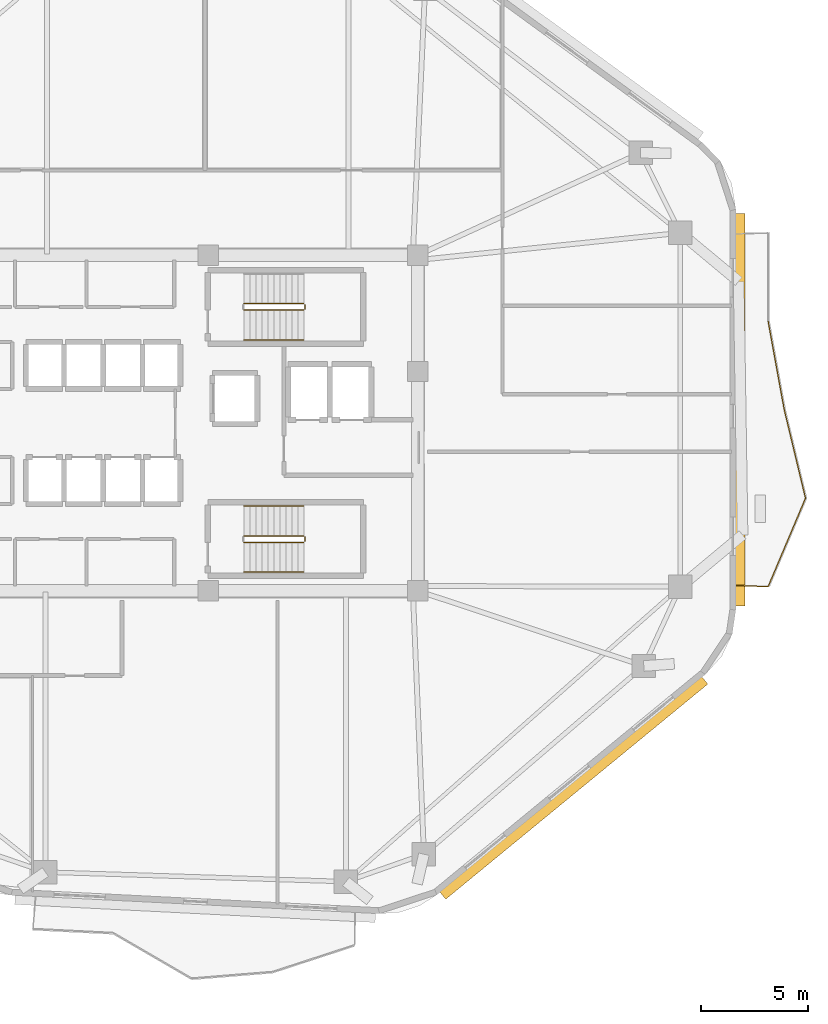
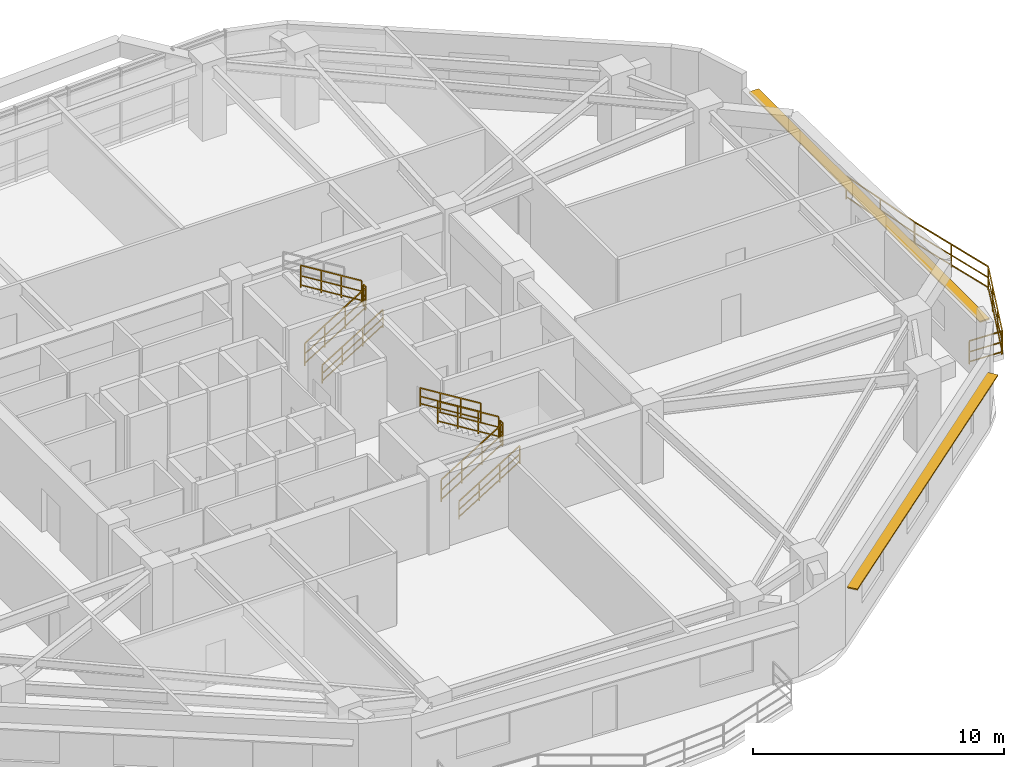
# One storey, part 13 of 14: 13 railings, 2 shading devices.
"""IFC4 building model written with IfcOpenShell, lengths in metres."""

from ifc_helpers import new_model, si_unit, direction, frame, origin, origin_2d, place, context, subcontext, project, spatial, rectangle, extrude, material, layer, layer_set, type_object, element, save


model = new_model("IFC4")

# Units and contexts
model_context = context("Model", 3, precision=1e-05, world=origin(), true_north=direction((0.0, 1.0)))
body_context = subcontext(model_context, "Body", "Model", "MODEL_VIEW")
ifc_project = project(units=[si_unit("LENGTHUNIT", "METRE"), si_unit("AREAUNIT", "SQUARE_METRE"), si_unit("VOLUMEUNIT", "CUBIC_METRE"), si_unit("PLANEANGLEUNIT", "RADIAN"), si_unit("MASSUNIT", "GRAM", prefix="KILO")], contexts=[model_context])

# Site, building, storey
site_placement = place(None, origin())
site = spatial("IfcSite", under=ifc_project, at=site_placement, CompositionType="ELEMENT")
building_placement = place(site_placement, origin())
building = spatial("IfcBuilding", under=site, at=building_placement, Name="Zulverin Broadcast Headquarters", CompositionType="ELEMENT")
storey_placement = place(building_placement, frame((0.0, 0.0, 147.800048828125)))
storey = spatial("IfcBuildingStorey", under=building, at=storey_placement, Name="L37", CompositionType="ELEMENT", Elevation=147.800048828125)

# Railings
ifc_material_1 = material(Name="Brushed stainless steel & laminated glass balustrade", Category="steel")
railing_type_1 = type_object("IfcRailingType", Name="RL-GUARD-1150", PredefinedType="GUARDRAIL", material=ifc_material_1)
railing_1_placement = place(storey_placement, frame((63.239990234375, 17.578369140625, 0.0)))
element("IfcRailing", 1, at=railing_1_placement, inside=storey, type_object=railing_type_1, Name="L37 Vertical-Forest Balcony Guardrail BAL_E Segment 01", PredefinedType="GUARDRAIL", context=body_context, shape_type="SweptSolid", body=[
    extrude(rectangle(XDim=0.048095703125, YDim=0.048095703125, at=origin_2d()), frame((0.0, 0.0, 1.1259765625), z_axis=(0.999174410196, -0.040626321628, 0.0), x_axis=(0.040626321628, 0.999174410196, 0.0)), (0.0, 0.0, 1.0), 1.46630859375),
    extrude(rectangle(XDim=0.0419921875, YDim=0.0419921875, at=origin_2d()), frame((0.0, 0.0, 0.597900390625), z_axis=(0.999174410196, -0.040626321628, 0.0), x_axis=(0.040626321628, 0.999174410196, 0.0)), (0.0, 0.0, 1.0), 1.46630859375),
    extrude(rectangle(XDim=0.0419921875, YDim=0.0419921875, at=origin_2d()), frame((0.0, 0.0, 0.1201171875), z_axis=(0.999174410196, -0.040626321628, 0.0), x_axis=(0.040626321628, 0.999174410196, 0.0)), (0.0, 0.0, 1.0), 1.46630859375),
    extrude(rectangle(XDim=0.0419921875, YDim=0.0419921875, at=origin_2d()), origin(), (0.0, 0.0, 1.0), 1.101806640625),
    extrude(rectangle(XDim=0.0419921875, YDim=0.0419921875, at=origin_2d()), frame((1.465087890625, -0.0595703125, 0.0)), (0.0, 0.0, 1.0), 1.101806640625),
])
railing_2_placement = place(storey_placement, frame((64.725830078125, 17.531982421875, 0.0)))
element("IfcRailing", 2, at=railing_2_placement, inside=storey, type_object=railing_type_1, Name="L37 Vertical-Forest Balcony Guardrail BAL_E Segment 02", PredefinedType="GUARDRAIL", context=body_context, shape_type="SweptSolid", body=[
    extrude(rectangle(XDim=0.048095703125, YDim=0.048095703125, at=origin_2d()), frame((0.0, 0.0, 1.1259765625), z_axis=(0.389077935505, 0.921204841554, 0.0), x_axis=(-0.921204841554, 0.389077935505, 0.0)), (0.0, 0.0, 1.0), 4.478271484375),
    extrude(rectangle(XDim=0.0419921875, YDim=0.0419921875, at=origin_2d()), frame((0.0, 0.0, 0.597900390625), z_axis=(0.389077935505, 0.921204841554, 0.0), x_axis=(-0.921204841554, 0.389077935505, 0.0)), (0.0, 0.0, 1.0), 4.478271484375),
    extrude(rectangle(XDim=0.0419921875, YDim=0.0419921875, at=origin_2d()), frame((0.0, 0.0, 0.1201171875), z_axis=(0.389077935505, 0.921204841554, 0.0), x_axis=(-0.921204841554, 0.389077935505, 0.0)), (0.0, 0.0, 1.0), 4.478271484375),
    extrude(rectangle(XDim=0.0419921875, YDim=0.0419921875, at=origin_2d()), origin(), (0.0, 0.0, 1.0), 1.101806640625),
    extrude(rectangle(XDim=0.0419921875, YDim=0.0419921875, at=origin_2d()), frame((0.580810546875, 1.375244140625, 0.0)), (0.0, 0.0, 1.0), 1.101806640625),
    extrude(rectangle(XDim=0.0419921875, YDim=0.0419921875, at=origin_2d()), frame((1.16162109375, 2.750244140625, 0.0)), (0.0, 0.0, 1.0), 1.101806640625),
    extrude(rectangle(XDim=0.0419921875, YDim=0.0419921875, at=origin_2d()), frame((1.742431640625, 4.12548828125, 0.0)), (0.0, 0.0, 1.0), 1.101806640625),
])
railing_3_placement = place(storey_placement, frame((66.470458984375, 21.685791015625, 0.0)))
element("IfcRailing", 3, at=railing_3_placement, inside=storey, type_object=railing_type_1, Name="L37 Vertical-Forest Balcony Guardrail BAL_E Segment 03", PredefinedType="GUARDRAIL", context=body_context, shape_type="SweptSolid", body=[
    extrude(rectangle(XDim=0.048095703125, YDim=0.048095703125, at=origin_2d()), frame((0.0, 0.0, 1.1259765625), z_axis=(-0.233599374874, 0.972332932723, 0.0), x_axis=(-0.972332932723, -0.233599374874, 0.0)), (0.0, 0.0, 1.0), 4.2412109375),
    extrude(rectangle(XDim=0.0419921875, YDim=0.0419921875, at=origin_2d()), frame((0.0, 0.0, 0.597900390625), z_axis=(-0.233599374874, 0.972332932723, 0.0), x_axis=(-0.972332932723, -0.233599374874, 0.0)), (0.0, 0.0, 1.0), 4.2412109375),
    extrude(rectangle(XDim=0.0419921875, YDim=0.0419921875, at=origin_2d()), frame((0.0, 0.0, 0.1201171875), z_axis=(-0.233599374874, 0.972332932723, 0.0), x_axis=(-0.972332932723, -0.233599374874, 0.0)), (0.0, 0.0, 1.0), 4.2412109375),
    extrude(rectangle(XDim=0.0419921875, YDim=0.0419921875, at=origin_2d()), origin(), (0.0, 0.0, 1.0), 1.101806640625),
    extrude(rectangle(XDim=0.0419921875, YDim=0.0419921875, at=origin_2d()), frame((-0.495361328125, 2.06201171875, 0.0)), (0.0, 0.0, 1.0), 1.101806640625),
    extrude(rectangle(XDim=0.0419921875, YDim=0.0419921875, at=origin_2d()), frame((-0.99072265625, 4.123779296875, 0.0)), (0.0, 0.0, 1.0), 1.101806640625),
])
railing_4_placement = place(storey_placement, frame((65.473388671875, 25.8388671875, 0.0)))
element("IfcRailing", 4, at=railing_4_placement, inside=storey, type_object=railing_type_1, Name="L37 Vertical-Forest Balcony Guardrail BAL_E Segment 04", PredefinedType="GUARDRAIL", context=body_context, shape_type="SweptSolid", body=[
    extrude(rectangle(XDim=0.048095703125, YDim=0.048095703125, at=origin_2d()), frame((0.0, 0.0, 1.1259765625), z_axis=(-0.179126365079, 0.983826074738, 0.0), x_axis=(-0.983826074738, -0.179126365079, 0.0)), (0.0, 0.0, 1.0), 4.191162109375),
    extrude(rectangle(XDim=0.0419921875, YDim=0.0419921875, at=origin_2d()), frame((0.0, 0.0, 0.597900390625), z_axis=(-0.179126365079, 0.983826074738, 0.0), x_axis=(-0.983826074738, -0.179126365079, 0.0)), (0.0, 0.0, 1.0), 4.191162109375),
    extrude(rectangle(XDim=0.0419921875, YDim=0.0419921875, at=origin_2d()), frame((0.0, 0.0, 0.1201171875), z_axis=(-0.179126365079, 0.983826074738, 0.0), x_axis=(-0.983826074738, -0.179126365079, 0.0)), (0.0, 0.0, 1.0), 4.191162109375),
    extrude(rectangle(XDim=0.0419921875, YDim=0.0419921875, at=origin_2d()), origin(), (0.0, 0.0, 1.0), 1.101806640625),
    extrude(rectangle(XDim=0.0419921875, YDim=0.0419921875, at=origin_2d()), frame((-0.37548828125, 2.0615234375, 0.0)), (0.0, 0.0, 1.0), 1.101806640625),
    extrude(rectangle(XDim=0.0419921875, YDim=0.0419921875, at=origin_2d()), frame((-0.750732421875, 4.123291015625, 0.0)), (0.0, 0.0, 1.0), 1.101806640625),
])
ifc_material_2 = material(Name="Painted galvanized steel tubular guardrail S355JR", Category="steel")
railing_type_2 = type_object("IfcRailingType", Name="RL-ST-GUARD", PredefinedType="GUARDRAIL", material=ifc_material_2)
railing_5_placement = place(storey_placement, frame((40.1298828125, 30.5, 0.172607421875)))
element("IfcRailing", 5, at=railing_5_placement, inside=storey, type_object=railing_type_2, Name="L37 ST-1 stair guard 1", PredefinedType="GUARDRAIL", context=body_context, shape_type="SweptSolid", body=[
    extrude(rectangle(XDim=0.048095703125, YDim=0.048095703125, at=origin_2d()), frame((0.0, 0.0, 1.076171875), z_axis=(0.851089632645, 0.0, 0.525020415988), x_axis=(0.0, 1.0, 0.0)), (0.0, 0.0, 1.0), 3.2900390625),
    extrude(rectangle(XDim=0.0419921875, YDim=0.0419921875, at=origin_2d()), frame((0.0, 0.0, 0.572021484375), z_axis=(0.851089632645, 0.0, 0.525020415988), x_axis=(0.0, 1.0, 0.0)), (0.0, 0.0, 1.0), 3.2900390625),
    extrude(rectangle(XDim=0.0419921875, YDim=0.0419921875, at=origin_2d()), frame((0.0, 0.0, 0.1201171875), z_axis=(0.851089632645, 0.0, 0.525020415988), x_axis=(0.0, 1.0, 0.0)), (0.0, 0.0, 1.0), 3.2900390625),
    extrude(rectangle(XDim=0.0419921875, YDim=0.0419921875, at=origin_2d()), origin(), (0.0, 0.0, 1.0), 1.052001953125),
    extrude(rectangle(XDim=0.0419921875, YDim=0.0419921875, at=origin_2d()), frame((0.933349609375, 0.0, 0.57568359375)), (0.0, 0.0, 1.0), 1.052001953125),
    extrude(rectangle(XDim=0.0419921875, YDim=0.0419921875, at=origin_2d()), frame((1.86669921875, 0.0, 1.151611328125)), (0.0, 0.0, 1.0), 1.052001953125),
    extrude(rectangle(XDim=0.0419921875, YDim=0.0419921875, at=origin_2d()), frame((2.800048828125, 0.0, 1.727294921875)), (0.0, 0.0, 1.0), 1.052001953125),
])
railing_6_placement = place(storey_placement, frame((42.97998046875, 30.550048828125, 1.89990234375)))
element("IfcRailing", 6, at=railing_6_placement, inside=storey, type_object=railing_type_2, Name="L37 ST-1 stair guard 2", PredefinedType="GUARDRAIL", context=body_context, shape_type="SweptSolid", body=[
    extrude(rectangle(XDim=0.048095703125, YDim=0.048095703125, at=origin_2d()), frame((0.0, 0.0, 1.076171875), z_axis=(0.0, 1.0, 0.0), x_axis=(-1.0, 0.0, 0.0)), (0.0, 0.0, 1.0), 0.199951171875),
    extrude(rectangle(XDim=0.0419921875, YDim=0.0419921875, at=origin_2d()), frame((0.0, 0.0, 0.572021484375), z_axis=(0.0, 1.0, 0.0), x_axis=(-1.0, 0.0, 0.0)), (0.0, 0.0, 1.0), 0.199951171875),
    extrude(rectangle(XDim=0.0419921875, YDim=0.0419921875, at=origin_2d()), frame((0.0, 0.0, 0.1201171875), z_axis=(0.0, 1.0, 0.0), x_axis=(-1.0, 0.0, 0.0)), (0.0, 0.0, 1.0), 0.199951171875),
    extrude(rectangle(XDim=0.0419921875, YDim=0.0419921875, at=origin_2d()), origin(), (0.0, 0.0, 1.0), 1.052001953125),
    extrude(rectangle(XDim=0.0419921875, YDim=0.0419921875, at=origin_2d()), frame((0.0, 0.199951171875, 0.0)), (0.0, 0.0, 1.0), 1.052001953125),
])
railing_7_placement = place(storey_placement, frame((42.929931640625, 30.800048828125, 2.07275390625)))
element("IfcRailing", 7, at=railing_7_placement, inside=storey, type_object=railing_type_2, Name="L37 ST-1 stair guard 3", PredefinedType="GUARDRAIL", context=body_context, shape_type="SweptSolid", body=[
    extrude(rectangle(XDim=0.048095703125, YDim=0.048095703125, at=origin_2d()), frame((0.0, 0.0, 1.076171875), z_axis=(-0.851089632645, 0.0, 0.525020415988), x_axis=(0.0, -1.0, 0.0)), (0.0, 0.0, 1.0), 3.2900390625),
    extrude(rectangle(XDim=0.0419921875, YDim=0.0419921875, at=origin_2d()), frame((0.0, 0.0, 0.572021484375), z_axis=(-0.851089632645, 0.0, 0.525020415988), x_axis=(0.0, -1.0, 0.0)), (0.0, 0.0, 1.0), 3.2900390625),
    extrude(rectangle(XDim=0.0419921875, YDim=0.0419921875, at=origin_2d()), frame((0.0, 0.0, 0.1201171875), z_axis=(-0.851089632645, 0.0, 0.525020415988), x_axis=(0.0, -1.0, 0.0)), (0.0, 0.0, 1.0), 3.2900390625),
    extrude(rectangle(XDim=0.0419921875, YDim=0.0419921875, at=origin_2d()), origin(), (0.0, 0.0, 1.0), 1.052001953125),
    extrude(rectangle(XDim=0.0419921875, YDim=0.0419921875, at=origin_2d()), frame((-0.933349609375, 0.0, 0.57568359375)), (0.0, 0.0, 1.0), 1.052001953125),
    extrude(rectangle(XDim=0.0419921875, YDim=0.0419921875, at=origin_2d()), frame((-1.86669921875, 0.0, 1.151611328125)), (0.0, 0.0, 1.0), 1.052001953125),
    extrude(rectangle(XDim=0.0419921875, YDim=0.0419921875, at=origin_2d()), frame((-2.800048828125, 0.0, 1.727294921875)), (0.0, 0.0, 1.0), 1.052001953125),
])
railing_8_placement = place(storey_placement, frame((40.1298828125, 19.60009765625, 0.172607421875)))
element("IfcRailing", 8, at=railing_8_placement, inside=storey, type_object=railing_type_2, Name="L37 ST-2 stair guard 1", PredefinedType="GUARDRAIL", context=body_context, shape_type="SweptSolid", body=[
    extrude(rectangle(XDim=0.048095703125, YDim=0.048095703125, at=origin_2d()), frame((0.0, 0.0, 1.076171875), z_axis=(0.851089632645, 0.0, 0.525020415988), x_axis=(0.0, 1.0, 0.0)), (0.0, 0.0, 1.0), 3.2900390625),
    extrude(rectangle(XDim=0.0419921875, YDim=0.0419921875, at=origin_2d()), frame((0.0, 0.0, 0.572021484375), z_axis=(0.851089632645, 0.0, 0.525020415988), x_axis=(0.0, 1.0, 0.0)), (0.0, 0.0, 1.0), 3.2900390625),
    extrude(rectangle(XDim=0.0419921875, YDim=0.0419921875, at=origin_2d()), frame((0.0, 0.0, 0.1201171875), z_axis=(0.851089632645, 0.0, 0.525020415988), x_axis=(0.0, 1.0, 0.0)), (0.0, 0.0, 1.0), 3.2900390625),
    extrude(rectangle(XDim=0.0419921875, YDim=0.0419921875, at=origin_2d()), origin(), (0.0, 0.0, 1.0), 1.052001953125),
    extrude(rectangle(XDim=0.0419921875, YDim=0.0419921875, at=origin_2d()), frame((0.933349609375, 0.0, 0.57568359375)), (0.0, 0.0, 1.0), 1.052001953125),
    extrude(rectangle(XDim=0.0419921875, YDim=0.0419921875, at=origin_2d()), frame((1.86669921875, 0.0, 1.151611328125)), (0.0, 0.0, 1.0), 1.052001953125),
    extrude(rectangle(XDim=0.0419921875, YDim=0.0419921875, at=origin_2d()), frame((2.800048828125, 0.0, 1.727294921875)), (0.0, 0.0, 1.0), 1.052001953125),
])
railing_9_placement = place(storey_placement, frame((42.97998046875, 19.64990234375, 1.89990234375)))
element("IfcRailing", 9, at=railing_9_placement, inside=storey, type_object=railing_type_2, Name="L37 ST-2 stair guard 2", PredefinedType="GUARDRAIL", context=body_context, shape_type="SweptSolid", body=[
    extrude(rectangle(XDim=0.048095703125, YDim=0.048095703125, at=origin_2d()), frame((0.0, 0.0, 1.076171875), z_axis=(0.0, 1.0, 0.0), x_axis=(-1.0, 0.0, 0.0)), (0.0, 0.0, 1.0), 0.2001953125),
    extrude(rectangle(XDim=0.0419921875, YDim=0.0419921875, at=origin_2d()), frame((0.0, 0.0, 0.572021484375), z_axis=(0.0, 1.0, 0.0), x_axis=(-1.0, 0.0, 0.0)), (0.0, 0.0, 1.0), 0.2001953125),
    extrude(rectangle(XDim=0.0419921875, YDim=0.0419921875, at=origin_2d()), frame((0.0, 0.0, 0.1201171875), z_axis=(0.0, 1.0, 0.0), x_axis=(-1.0, 0.0, 0.0)), (0.0, 0.0, 1.0), 0.2001953125),
    extrude(rectangle(XDim=0.0419921875, YDim=0.0419921875, at=origin_2d()), origin(), (0.0, 0.0, 1.0), 1.052001953125),
    extrude(rectangle(XDim=0.0419921875, YDim=0.0419921875, at=origin_2d()), frame((0.0, 0.2001953125, 0.0)), (0.0, 0.0, 1.0), 1.052001953125),
])
railing_10_placement = place(storey_placement, frame((42.929931640625, 19.89990234375, 2.07275390625)))
element("IfcRailing", 10, at=railing_10_placement, inside=storey, type_object=railing_type_2, Name="L37 ST-2 stair guard 3", PredefinedType="GUARDRAIL", context=body_context, shape_type="SweptSolid", body=[
    extrude(rectangle(XDim=0.048095703125, YDim=0.048095703125, at=origin_2d()), frame((0.0, 0.0, 1.076171875), z_axis=(-0.851089632645, 0.0, 0.525020415988), x_axis=(0.0, -1.0, 0.0)), (0.0, 0.0, 1.0), 3.2900390625),
    extrude(rectangle(XDim=0.0419921875, YDim=0.0419921875, at=origin_2d()), frame((0.0, 0.0, 0.572021484375), z_axis=(-0.851089632645, 0.0, 0.525020415988), x_axis=(0.0, -1.0, 0.0)), (0.0, 0.0, 1.0), 3.2900390625),
    extrude(rectangle(XDim=0.0419921875, YDim=0.0419921875, at=origin_2d()), frame((0.0, 0.0, 0.1201171875), z_axis=(-0.851089632645, 0.0, 0.525020415988), x_axis=(0.0, -1.0, 0.0)), (0.0, 0.0, 1.0), 3.2900390625),
    extrude(rectangle(XDim=0.0419921875, YDim=0.0419921875, at=origin_2d()), origin(), (0.0, 0.0, 1.0), 1.052001953125),
    extrude(rectangle(XDim=0.0419921875, YDim=0.0419921875, at=origin_2d()), frame((-0.933349609375, 0.0, 0.57568359375)), (0.0, 0.0, 1.0), 1.052001953125),
    extrude(rectangle(XDim=0.0419921875, YDim=0.0419921875, at=origin_2d()), frame((-1.86669921875, 0.0, 1.151611328125)), (0.0, 0.0, 1.0), 1.052001953125),
    extrude(rectangle(XDim=0.0419921875, YDim=0.0419921875, at=origin_2d()), frame((-2.800048828125, 0.0, 1.727294921875)), (0.0, 0.0, 1.0), 1.052001953125),
])
ifc_material_3 = material(Name="Brushed stainless steel 48 mm handrail", Category="steel")
railing_type_3 = type_object("IfcRailingType", Name="RL-ST-HAND", PredefinedType="HANDRAIL", material=ifc_material_3)
for number, where, name in (
    (11, (40.1298828125, 29.10009765625, 0.172607421875), "L37 ST-1 stair handrail 1"),
    (12, (40.1298828125, 18.199951171875, 0.172607421875), "L37 ST-2 stair handrail 1"),
):
    element("IfcRailing", number, at=place(storey_placement, frame(where)), inside=storey, type_object=railing_type_3, Name=name, PredefinedType="HANDRAIL", context=body_context, shape_type="SweptSolid", body=[
        extrude(rectangle(XDim=0.048095703125, YDim=0.048095703125, at=origin_2d()), frame((0.0, 0.0, 0.8759765625), z_axis=(0.851089632645, 0.0, 0.525020415988), x_axis=(0.0, 1.0, 0.0)), (0.0, 0.0, 1.0), 3.2900390625),
        extrude(rectangle(XDim=0.0419921875, YDim=0.0419921875, at=origin_2d()), frame((0.0, 0.0, 0.468017578125), z_axis=(0.851089632645, 0.0, 0.525020415988), x_axis=(0.0, 1.0, 0.0)), (0.0, 0.0, 1.0), 3.2900390625),
        extrude(rectangle(XDim=0.0419921875, YDim=0.0419921875, at=origin_2d()), frame((0.0, 0.0, 0.1201171875), z_axis=(0.851089632645, 0.0, 0.525020415988), x_axis=(0.0, 1.0, 0.0)), (0.0, 0.0, 1.0), 3.2900390625),
        extrude(rectangle(XDim=0.0419921875, YDim=0.0419921875, at=origin_2d()), origin(), (0.0, 0.0, 1.0), 0.851806640625),
        extrude(rectangle(XDim=0.0419921875, YDim=0.0419921875, at=origin_2d()), frame((0.933349609375, 0.0, 0.57568359375)), (0.0, 0.0, 1.0), 0.851806640625),
        extrude(rectangle(XDim=0.0419921875, YDim=0.0419921875, at=origin_2d()), frame((1.86669921875, 0.0, 1.151611328125)), (0.0, 0.0, 1.0), 0.851806640625),
        extrude(rectangle(XDim=0.0419921875, YDim=0.0419921875, at=origin_2d()), frame((2.800048828125, 0.0, 1.727294921875)), (0.0, 0.0, 1.0), 0.851806640625),
    ])
railing_11_placement = place(storey_placement, frame((42.929931640625, 21.300048828125, 2.07275390625)))
element("IfcRailing", 13, at=railing_11_placement, inside=storey, type_object=railing_type_3, Name="L37 ST-2 stair handrail 2", PredefinedType="HANDRAIL", context=body_context, shape_type="SweptSolid", body=[
    extrude(rectangle(XDim=0.048095703125, YDim=0.048095703125, at=origin_2d()), frame((0.0, 0.0, 0.8759765625), z_axis=(-0.851089632645, 0.0, 0.525020415988), x_axis=(0.0, -1.0, 0.0)), (0.0, 0.0, 1.0), 3.2900390625),
    extrude(rectangle(XDim=0.0419921875, YDim=0.0419921875, at=origin_2d()), frame((0.0, 0.0, 0.468017578125), z_axis=(-0.851089632645, 0.0, 0.525020415988), x_axis=(0.0, -1.0, 0.0)), (0.0, 0.0, 1.0), 3.2900390625),
    extrude(rectangle(XDim=0.0419921875, YDim=0.0419921875, at=origin_2d()), frame((0.0, 0.0, 0.1201171875), z_axis=(-0.851089632645, 0.0, 0.525020415988), x_axis=(0.0, -1.0, 0.0)), (0.0, 0.0, 1.0), 3.2900390625),
    extrude(rectangle(XDim=0.0419921875, YDim=0.0419921875, at=origin_2d()), origin(), (0.0, 0.0, 1.0), 0.851806640625),
    extrude(rectangle(XDim=0.0419921875, YDim=0.0419921875, at=origin_2d()), frame((-0.933349609375, 0.0, 0.57568359375)), (0.0, 0.0, 1.0), 0.851806640625),
    extrude(rectangle(XDim=0.0419921875, YDim=0.0419921875, at=origin_2d()), frame((-1.86669921875, 0.0, 1.151611328125)), (0.0, 0.0, 1.0), 0.851806640625),
    extrude(rectangle(XDim=0.0419921875, YDim=0.0419921875, at=origin_2d()), frame((-2.800048828125, 0.0, 1.727294921875)), (0.0, 0.0, 1.0), 0.851806640625),
])

# Shading devices
ifc_material_4 = material(Name="Anodized pale-metal aluminium sunshade", Category="aluminium")
ifc_layer = layer(ifc_material_4, 0.06005859375, Name="Anodized pale-metal aluminium sunshade", Category="aluminium")
ifc_layer_set = layer_set([ifc_layer], Name="Anodized pale-metal aluminium sunshade")
shading_device_type = type_object("IfcShadingDeviceType", Name="SS-01_PALE_METAL_ALUMINIUM_SUNSHADE", PredefinedType="USERDEFINED", material=ifc_layer_set)
shading_device_1_placement = place(storey_placement, frame((55.598388671875, 8.075439453125, 2.7099609375), z_axis=(0.0, 0.0, 1.0), x_axis=(0.77293958613, 0.634479626302, 0.0)))
element("IfcShadingDevice", 14, at=shading_device_1_placement, inside=storey, type_object=shading_device_type, Name="L37 Horizontal Pale-Metal Sunshade Band 2", ObjectType="SUNSHADE", PredefinedType="USERDEFINED", context=body_context, shape_type="SweptSolid", body=[
    extrude(rectangle(XDim=15.90869140625, YDim=0.449951171875, at=origin_2d()), origin(), (0.0, 0.0, 1.0), 0.06005859375),
])
shading_device_2_placement = place(storey_placement, frame((63.39990234375, 25.82421875, 2.619873046875), z_axis=(0.0, 0.0, 1.0), x_axis=(0.0, 1.0, 0.0)))
element("IfcShadingDevice", 15, at=shading_device_2_placement, inside=storey, type_object=shading_device_type, Name="L37 Horizontal Pale-Metal Sunshade Band 3", ObjectType="SUNSHADE", PredefinedType="USERDEFINED", context=body_context, shape_type="SweptSolid", body=[
    extrude(rectangle(XDim=18.41162109375, YDim=0.449951171875, at=origin_2d()), origin(), (0.0, 0.0, 1.0), 0.06005859375),
])

save(model, "model.ifc")
